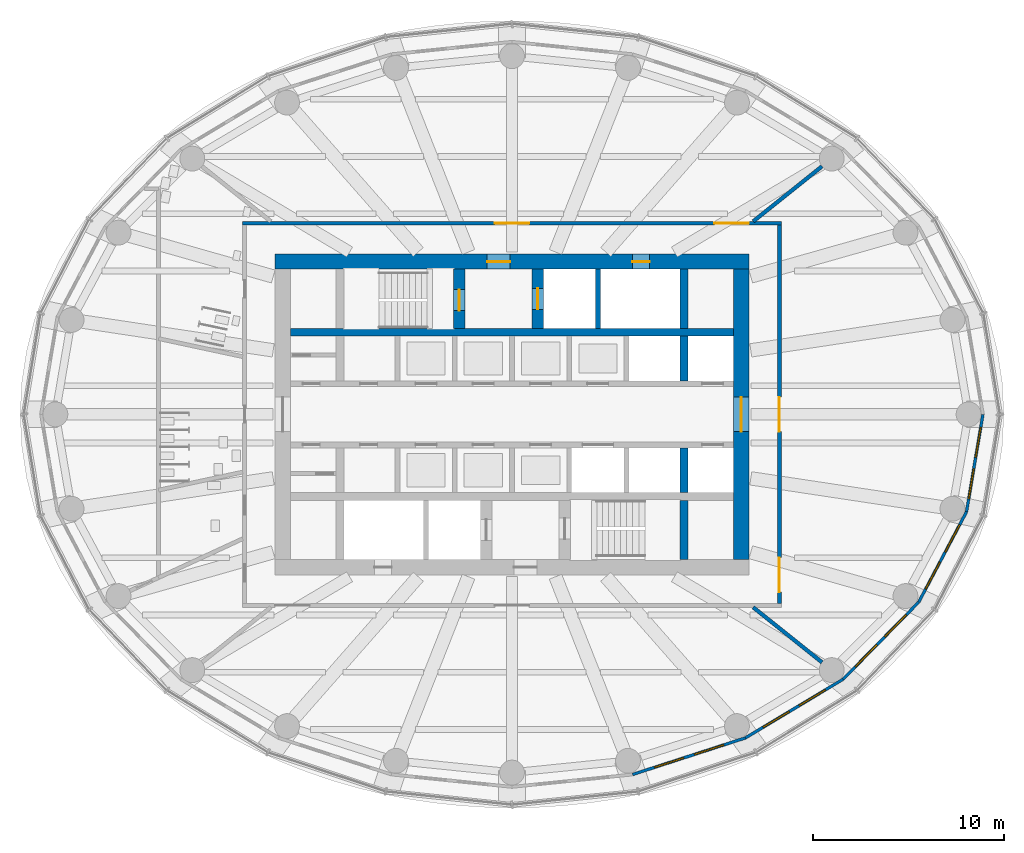
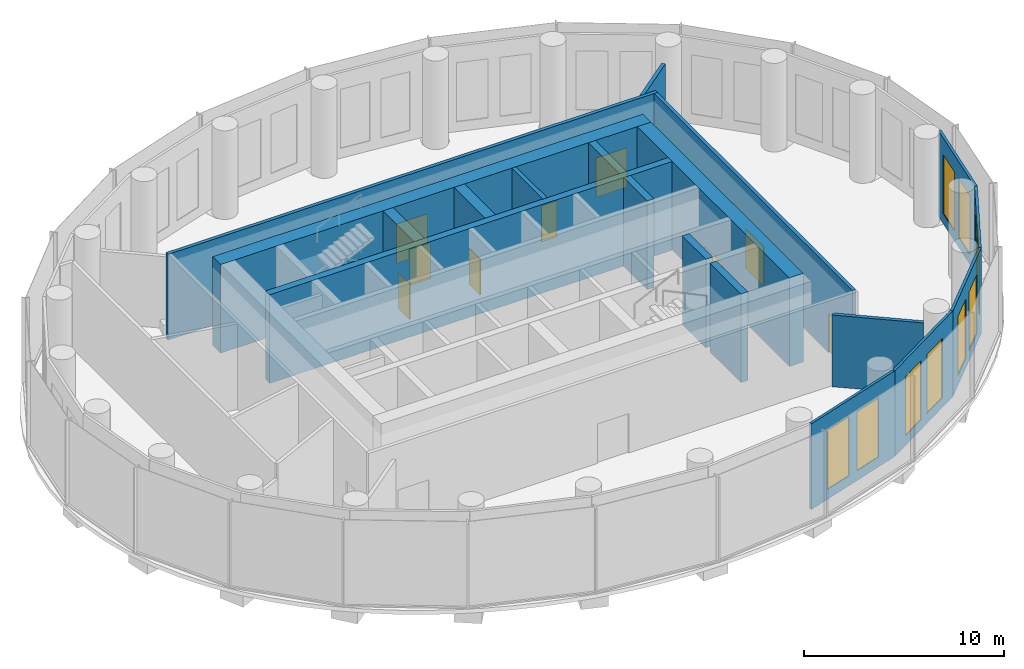
# One storey, part 7 of 13: 19 walls, 10 windows, 9 doors, 19 openings.
"""IFC4 building model written with IfcOpenShell, lengths in metres."""

from ifc_helpers import new_model, si_unit, direction, frame, frame_2d, origin, place, context, subcontext, project, spatial, rectangle, extrude, material, layer, layer_set, type_object, element, fill, save


model = new_model("IFC4")

# Units and contexts
model_context = context("Model", 3, precision=1e-05, world=origin(), true_north=direction((0.0, 1.0)))
body_context = subcontext(model_context, "Body", "Model", "MODEL_VIEW")
ifc_project = project(units=[si_unit("LENGTHUNIT", "METRE"), si_unit("AREAUNIT", "SQUARE_METRE"), si_unit("VOLUMEUNIT", "CUBIC_METRE"), si_unit("PLANEANGLEUNIT", "RADIAN"), si_unit("MASSUNIT", "GRAM", prefix="KILO")], contexts=[model_context])

# Site, building, storey
site_placement = place(None, origin())
site = spatial("IfcSite", under=ifc_project, at=site_placement, CompositionType="ELEMENT")
building_placement = place(site_placement, origin())
building = spatial("IfcBuilding", under=site, at=building_placement, Name="Hankou Lantern Tower", CompositionType="ELEMENT")
storey_placement = place(building_placement, frame((0.0, 0.0, 100.199951171875)))
storey = spatial("IfcBuildingStorey", under=building, at=storey_placement, Name="L25", CompositionType="ELEMENT", Elevation=100.199951171875)

# Wall, openings, doors
ifc_material_1 = material(Name="Concrete C60", Category="concrete")
ifc_layer_1 = layer(ifc_material_1, 0.800048828125)
ifc_layer_set_1 = layer_set([ifc_layer_1], Name="Concrete C60")
wall_type_1 = type_object("IfcWallType", Name="CW2 CORE WALL 800", PredefinedType="SHEAR", material=ifc_layer_set_1)
wall_1_placement = place(storey_placement, frame((-12.39990234375, 8.0, 0.0), z_axis=(0.0, 0.0, 1.0), x_axis=(1.0, 0.0, 0.0)))
wall_1 = element("IfcWall", 1, at=wall_1_placement, inside=storey, type_object=wall_type_1, Name="Core wall north L25", PredefinedType="SHEAR", context=body_context, shape_type="SweptSolid", body=[
    extrude(rectangle(XDim=24.7998046875, YDim=0.800048828125, at=frame_2d((12.39990234375, 0.0))), origin(), (0.0, 0.0, 1.0), 5.400146484375),
])
opening_1_placement = place(wall_1_placement, frame((11.10009765625, 0.0, 0.0)))
opening_1 = element("IfcOpeningElement", 2, at=opening_1_placement, cuts=wall_1, Name="Opening D5", PredefinedType="OPENING", context=body_context, shape_type="SweptSolid", body=[
    extrude(rectangle(XDim=1.199951171875, YDim=2.199951171875, at=frame_2d((0.60009765625, 1.10009765625))), frame((0.0, 0.409912109375, 0.0), z_axis=(0.0, -1.0, 0.0), x_axis=(1.0, 0.0, 0.0)), (0.0, 0.0, 1.0), 0.820068359375),
])
opening_2_placement = place(wall_1_placement, frame((18.699951171875, 0.0, 0.0)))
opening_2 = element("IfcOpeningElement", 3, at=opening_2_placement, cuts=wall_1, Name="Opening D7", PredefinedType="OPENING", context=body_context, shape_type="SweptSolid", body=[
    extrude(rectangle(XDim=0.89990234375, YDim=2.199951171875, at=frame_2d((0.449951171875, 1.10009765625))), frame((0.0, 0.409912109375, 0.0), z_axis=(0.0, -1.0, 0.0), x_axis=(1.0, 0.0, 0.0)), (0.0, 0.0, 1.0), 0.820068359375),
])
ifc_material_2 = material(Name="Steel door leaf", Category="steel")
door_type_1 = type_object("IfcDoorType", Name="D5 STAIR LOBBY DOOR 1200X2200", OperationType="SINGLE_SWING_LEFT", PredefinedType="DOOR", material=ifc_material_2)
door_1_placement = place(opening_1_placement, origin())
door_1 = element("IfcDoor", 4, at=door_1_placement, inside=storey, type_object=door_type_1, Name="Stair A lobby door", OperationType="SINGLE_SWING_LEFT", OverallHeight=2.199951171875, OverallWidth=1.199951171875, PredefinedType="DOOR", context=body_context, shape_type="SweptSolid", body=[
    extrude(rectangle(XDim=1.199951171875, YDim=2.199951171875, at=frame_2d((0.60009765625, 1.10009765625))), frame((0.0, 0.02490234375, 0.0), z_axis=(0.0, -1.0, 0.0), x_axis=(1.0, 0.0, 0.0)), (0.0, 0.0, 1.0), 0.050048828125),
])
fill(opening_1, door_1)
ifc_material_3 = material(Name="Steel door leaf", Category="steel")
door_type_2 = type_object("IfcDoorType", Name="D7 RISER DOOR 900X2200", OperationType="SINGLE_SWING_LEFT", PredefinedType="DOOR", material=ifc_material_3)
door_2_placement = place(opening_2_placement, origin())
door_2 = element("IfcDoor", 5, at=door_2_placement, inside=storey, type_object=door_type_2, Name="Riser N1 door", OperationType="SINGLE_SWING_RIGHT", OverallHeight=2.199951171875, OverallWidth=0.89990234375, PredefinedType="DOOR", context=body_context, shape_type="SweptSolid", body=[
    extrude(rectangle(XDim=0.89990234375, YDim=2.199951171875, at=frame_2d((0.449951171875, 1.10009765625))), frame((0.0, 0.02490234375, 0.0), z_axis=(0.0, -1.0, 0.0), x_axis=(1.0, 0.0, 0.0)), (0.0, 0.0, 1.0), 0.050048828125),
])
fill(opening_2, door_2)

# Wall, opening, door
wall_2_placement = place(storey_placement, frame((12.0, -7.60009765625, 0.0), z_axis=(0.0, 0.0, 1.0), x_axis=(0.0, 1.0, 0.0)))
wall_2 = element("IfcWall", 6, at=wall_2_placement, inside=storey, type_object=wall_type_1, Name="Core wall east L25", PredefinedType="SHEAR", context=body_context, shape_type="SweptSolid", body=[
    extrude(rectangle(XDim=15.2001953125, YDim=0.800048828125, at=frame_2d((7.60009765625, 0.0))), origin(), (0.0, 0.0, 1.0), 5.400146484375),
])
opening_3_placement = place(wall_2_placement, frame((6.699951171875, 0.0, 0.0)))
opening_3 = element("IfcOpeningElement", 7, at=opening_3_placement, cuts=wall_2, Name="Opening D6", PredefinedType="OPENING", context=body_context, shape_type="SweptSolid", body=[
    extrude(rectangle(XDim=1.800048828125, YDim=2.199951171875, at=frame_2d((0.89990234375, 1.10009765625))), frame((0.0, 0.409912109375, 0.0), z_axis=(0.0, -1.0, 0.0), x_axis=(1.0, 0.0, 0.0)), (0.0, 0.0, 1.0), 0.820068359375),
])
ifc_material_4 = material(Name="Steel door leaf", Category="steel")
door_type_3 = type_object("IfcDoorType", Name="D6 LIFT LOBBY DOOR 1800X2200", OperationType="DOUBLE_DOOR_DOUBLE_SWING", PredefinedType="DOOR", material=ifc_material_4)
door_3_placement = place(opening_3_placement, origin())
door_3 = element("IfcDoor", 8, at=door_3_placement, inside=storey, type_object=door_type_3, Name="Lift lobby east door", OperationType="DOUBLE_DOOR_DOUBLE_SWING", OverallHeight=2.199951171875, OverallWidth=1.800048828125, PredefinedType="DOOR", context=body_context, shape_type="SweptSolid", body=[
    extrude(rectangle(XDim=1.800048828125, YDim=2.199951171875, at=frame_2d((0.89990234375, 1.10009765625))), frame((0.0, 0.02490234375, 0.0), z_axis=(0.0, -1.0, 0.0), x_axis=(1.0, 0.0, 0.0)), (0.0, 0.0, 1.0), 0.050048828125),
])
fill(opening_3, door_3)

# Walls
ifc_material_5 = material(Name="Concrete C60", Category="concrete")
ifc_layer_2 = layer(ifc_material_5, 0.39990234375)
ifc_layer_set_2 = layer_set([ifc_layer_2], Name="Concrete C60")
wall_type_2 = type_object("IfcWallType", Name="CW4 CORE CROSS WALL 400", PredefinedType="SHEAR", material=ifc_layer_set_2)
wall_3_placement = place(storey_placement, frame((-11.60009765625, 4.300048828125, 0.0), z_axis=(0.0, 0.0, 1.0), x_axis=(1.0, 0.0, 0.0)))
element("IfcWall", 9, at=wall_3_placement, inside=storey, type_object=wall_type_2, Name="Core band wall north L25", PredefinedType="SHEAR", context=body_context, shape_type="SweptSolid", body=[
    extrude(rectangle(XDim=23.2001953125, YDim=0.39990234375, at=frame_2d((11.60009765625, 0.0))), origin(), (0.0, 0.0, 1.0), 5.400146484375),
])
wall_4_placement = place(storey_placement, frame((9.0, 4.5, 0.0), z_axis=(0.0, 0.0, 1.0), x_axis=(0.0, 1.0, 0.0)))
element("IfcWall", 10, at=wall_4_placement, inside=storey, type_object=wall_type_2, Name="Core strip wall L25", PredefinedType="SHEAR", context=body_context, shape_type="SweptSolid", body=[
    extrude(rectangle(XDim=3.10009765625, YDim=0.39990234375, at=frame_2d((1.550048828125, 0.0))), origin(), (0.0, 0.0, 1.0), 5.400146484375),
])
for number, where, z_axis, x_axis, name in (
    (11, (9.0, 1.75, 0.0), (0.0, 0.0, 1.0), (0.0, 1.0, 0.0), "Core strip wall L25"),
    (12, (9.0, -4.10009765625, 0.0), (0.0, 0.0, 1.0), (0.0, 1.0, 0.0), "Core strip wall L25"),
):
    element("IfcWall", number, at=place(storey_placement, frame(where, z_axis=z_axis, x_axis=x_axis)), inside=storey, type_object=wall_type_2, Name=name, PredefinedType="SHEAR", context=body_context, shape_type="SweptSolid", body=[
        extrude(rectangle(XDim=2.35009765625, YDim=0.39990234375, at=frame_2d((1.175048828125, 0.0))), origin(), (0.0, 0.0, 1.0), 5.400146484375),
    ])
wall_5_placement = place(storey_placement, frame((9.0, -7.60009765625, 0.0), z_axis=(0.0, 0.0, 1.0), x_axis=(0.0, 1.0, 0.0)))
element("IfcWall", 13, at=wall_5_placement, inside=storey, type_object=wall_type_2, Name="Core strip wall L25", PredefinedType="SHEAR", context=body_context, shape_type="SweptSolid", body=[
    extrude(rectangle(XDim=3.10009765625, YDim=0.39990234375, at=frame_2d((1.550048828125, 0.0))), origin(), (0.0, 0.0, 1.0), 5.400146484375),
])

# Wall, opening, door
ifc_material_6 = material(Name="Concrete C60", Category="concrete")
ifc_layer_3 = layer(ifc_material_6, 0.60009765625)
ifc_layer_set_3 = layer_set([ifc_layer_3], Name="Concrete C60")
wall_type_3 = type_object("IfcWallType", Name="CW6 STAIR AND SHAFT WALL 600", PredefinedType="SHEAR", material=ifc_layer_set_3)
wall_6_placement = place(storey_placement, frame((-2.75, 4.5, 0.0), z_axis=(0.0, 0.0, 1.0), x_axis=(0.0, 1.0, 0.0)))
wall_6 = element("IfcWall", 14, at=wall_6_placement, inside=storey, type_object=wall_type_3, Name="Stair wall L25", PredefinedType="SHEAR", context=body_context, shape_type="SweptSolid", body=[
    extrude(rectangle(XDim=3.10009765625, YDim=0.60009765625, at=frame_2d((1.550048828125, 0.0))), origin(), (0.0, 0.0, 1.0), 5.400146484375),
])
opening_4_placement = place(wall_6_placement, frame((0.925048828125, 0.0, 0.0)))
opening_4 = element("IfcOpeningElement", 15, at=opening_4_placement, cuts=wall_6, Name="Opening D4", PredefinedType="OPENING", context=body_context, shape_type="SweptSolid", body=[
    extrude(rectangle(XDim=1.10009765625, YDim=2.199951171875, at=frame_2d((0.550048828125, 1.10009765625))), frame((0.0, 0.31005859375, 0.0), z_axis=(0.0, -1.0, 0.0), x_axis=(1.0, 0.0, 0.0)), (0.0, 0.0, 1.0), 0.6201171875),
])
ifc_material_7 = material(Name="Steel door leaf", Category="steel")
door_type_4 = type_object("IfcDoorType", Name="D4 STAIR DOOR 1100X2200", OperationType="SINGLE_SWING_LEFT", PredefinedType="DOOR", material=ifc_material_7)
door_4_placement = place(opening_4_placement, origin())
door_4 = element("IfcDoor", 16, at=door_4_placement, inside=storey, type_object=door_type_4, Name="Stair A door", OperationType="SINGLE_SWING_LEFT", OverallHeight=2.199951171875, OverallWidth=1.10009765625, PredefinedType="DOOR", context=body_context, shape_type="SweptSolid", body=[
    extrude(rectangle(XDim=1.10009765625, YDim=2.199951171875, at=frame_2d((0.550048828125, 1.10009765625))), frame((0.0, 0.02490234375, 0.0), z_axis=(0.0, -1.0, 0.0), x_axis=(1.0, 0.0, 0.0)), (0.0, 0.0, 1.0), 0.050048828125),
])
fill(opening_4, door_4)

wall_7_placement = place(storey_placement, frame((1.35009765625, 4.5, 0.0), z_axis=(0.0, 0.0, 1.0), x_axis=(0.0, 1.0, 0.0)))
wall_7 = element("IfcWall", 17, at=wall_7_placement, inside=storey, type_object=wall_type_3, Name="Firefighting lift shaft wall L25", PredefinedType="SHEAR", context=body_context, shape_type="SweptSolid", body=[
    extrude(rectangle(XDim=3.10009765625, YDim=0.60009765625, at=frame_2d((1.550048828125, 0.0))), origin(), (0.0, 0.0, 1.0), 5.400146484375),
])
opening_5_placement = place(wall_7_placement, frame((1.0, 0.0, 0.0)))
opening_5 = element("IfcOpeningElement", 18, at=opening_5_placement, cuts=wall_7, Name="Opening LD2", PredefinedType="OPENING", context=body_context, shape_type="SweptSolid", body=[
    extrude(rectangle(XDim=1.10009765625, YDim=2.199951171875, at=frame_2d((0.550048828125, 1.10009765625))), frame((0.0, 0.31005859375, 0.0), z_axis=(0.0, -1.0, 0.0), x_axis=(1.0, 0.0, 0.0)), (0.0, 0.0, 1.0), 0.6201171875),
])
ifc_material_8 = material(Name="Steel door leaf", Category="steel")
door_type_5 = type_object("IfcDoorType", Name="LD2 FIREFIGHTING LIFT LANDING DOOR 1100X2200", OperationType="DOUBLE_DOOR_SLIDING", PredefinedType="DOOR", material=ifc_material_8)
door_5_placement = place(opening_5_placement, origin())
door_5 = element("IfcDoor", 19, at=door_5_placement, inside=storey, type_object=door_type_5, Name="Firefighting lift FL1 landing door", OperationType="DOUBLE_DOOR_SLIDING", OverallHeight=2.199951171875, OverallWidth=1.10009765625, PredefinedType="DOOR", context=body_context, shape_type="SweptSolid", body=[
    extrude(rectangle(XDim=1.10009765625, YDim=2.199951171875, at=frame_2d((0.550048828125, 1.10009765625))), frame((0.0, 0.02490234375, 0.0), z_axis=(0.0, -1.0, 0.0), x_axis=(1.0, 0.0, 0.0)), (0.0, 0.0, 1.0), 0.050048828125),
])
fill(opening_5, door_5)

# Wall, openings, windows
ifc_material_9 = material(Name="Aluminium spandrel panel on steel studs", Category="steel")
ifc_layer_4 = layer(ifc_material_9, 0.14990234375)
ifc_layer_set_4 = layer_set([ifc_layer_4], Name="Aluminium spandrel panel on steel studs")
wall_type_4 = type_object("IfcWallType", Name="EW1 INNER SKIN WALL 150", PredefinedType="ELEMENTEDWALL", material=ifc_layer_set_4)
wall_8_placement = place(storey_placement, frame((6.3134765625, -18.849609375, 0.0), z_axis=(0.0, 0.0, 1.0), x_axis=(0.951272691506, 0.308350881944, 0.0)))
wall_8 = element("IfcWall", 20, at=wall_8_placement, inside=storey, type_object=wall_type_4, Name="Inner skin R20-R21 L25", PredefinedType="ELEMENTEDWALL", context=body_context, shape_type="SweptSolid", body=[
    extrude(rectangle(XDim=6.210693359375, YDim=0.14990234375, at=frame_2d((3.10546875, 0.0))), origin(), (0.0, 0.0, 1.0), 5.219970703125),
])
opening_6_placement = place(wall_8_placement, frame((1.205322265625, 0.0, 0.60009765625)))
opening_6 = element("IfcOpeningElement", 21, at=opening_6_placement, cuts=wall_8, Name="Opening W6", PredefinedType="OPENING", context=body_context, shape_type="SweptSolid", body=[
    extrude(rectangle(XDim=1.60009765625, YDim=3.60009765625, at=frame_2d((0.800048828125, 1.800048828125))), frame((0.0, 0.0849609375, 0.0), z_axis=(0.0, -1.0, 0.0), x_axis=(1.0, 0.0, 0.0)), (0.0, 0.0, 1.0), 0.169921875),
])
opening_7_placement = place(wall_8_placement, frame((3.4052734375, 0.0, 0.60009765625)))
opening_7 = element("IfcOpeningElement", 22, at=opening_7_placement, cuts=wall_8, Name="Opening W6", PredefinedType="OPENING", context=body_context, shape_type="SweptSolid", body=[
    extrude(rectangle(XDim=1.60009765625, YDim=3.60009765625, at=frame_2d((0.800048828125, 1.800048828125))), frame((0.0, 0.0849609375, 0.0), z_axis=(0.0, -1.0, 0.0), x_axis=(1.0, 0.0, 0.0)), (0.0, 0.0, 1.0), 0.169921875),
])
ifc_material_10 = material(Name="Aluminium framed double glazed window", Category="aluminium")
window_type = type_object("IfcWindowType", Name="W6 SKY LOBBY WINDOW 1600X3600", PartitioningType="DOUBLE_PANEL_VERTICAL", PredefinedType="WINDOW", material=ifc_material_10)
window_1_placement = place(opening_6_placement, origin())
window_1 = element("IfcWindow", 23, at=window_1_placement, inside=storey, type_object=window_type, Name="Window R20.1 L25", OverallHeight=3.60009765625, OverallWidth=1.60009765625, PartitioningType="SINGLE_PANEL", PredefinedType="WINDOW", context=body_context, shape_type="SweptSolid", body=[
    extrude(rectangle(XDim=1.60009765625, YDim=3.60009765625, at=frame_2d((0.800048828125, 1.800048828125))), frame((0.0, 0.030029296875, 0.0), z_axis=(0.0, -1.0, 0.0), x_axis=(1.0, 0.0, 0.0)), (0.0, 0.0, 1.0), 0.06005859375),
])
fill(opening_6, window_1)
window_2_placement = place(opening_7_placement, origin())
window_2 = element("IfcWindow", 24, at=window_2_placement, inside=storey, type_object=window_type, Name="Window R20.2 L25", OverallHeight=3.60009765625, OverallWidth=1.60009765625, PartitioningType="SINGLE_PANEL", PredefinedType="WINDOW", context=body_context, shape_type="SweptSolid", body=[
    extrude(rectangle(XDim=1.60009765625, YDim=3.60009765625, at=frame_2d((0.800048828125, 1.800048828125))), frame((0.0, 0.030029296875, 0.0), z_axis=(0.0, -1.0, 0.0), x_axis=(1.0, 0.0, 0.0)), (0.0, 0.0, 1.0), 0.06005859375),
])
fill(opening_7, window_2)

wall_9_placement = place(storey_placement, frame((12.221435546875, -16.9345703125, 0.0), z_axis=(0.0, 0.0, 1.0), x_axis=(0.857308573723, 0.514802884044, 0.0)))
wall_9 = element("IfcWall", 25, at=wall_9_placement, inside=storey, type_object=wall_type_4, Name="Inner skin R21-R22 L25", PredefinedType="ELEMENTEDWALL", context=body_context, shape_type="SweptSolid", body=[
    extrude(rectangle(XDim=5.961181640625, YDim=0.14990234375, at=frame_2d((2.98046875, 0.0))), origin(), (0.0, 0.0, 1.0), 5.219970703125),
])
opening_8_placement = place(wall_9_placement, frame((1.08056640625, 0.0, 0.60009765625)))
opening_8 = element("IfcOpeningElement", 26, at=opening_8_placement, cuts=wall_9, Name="Opening W6", PredefinedType="OPENING", context=body_context, shape_type="SweptSolid", body=[
    extrude(rectangle(XDim=1.60009765625, YDim=3.60009765625, at=frame_2d((0.800048828125, 1.800048828125))), frame((0.0, 0.0849609375, 0.0), z_axis=(0.0, -1.0, 0.0), x_axis=(1.0, 0.0, 0.0)), (0.0, 0.0, 1.0), 0.169921875),
])
opening_9_placement = place(wall_9_placement, frame((3.280517578125, 0.0, 0.60009765625)))
opening_9 = element("IfcOpeningElement", 27, at=opening_9_placement, cuts=wall_9, Name="Opening W6", PredefinedType="OPENING", context=body_context, shape_type="SweptSolid", body=[
    extrude(rectangle(XDim=1.60009765625, YDim=3.60009765625, at=frame_2d((0.800048828125, 1.800048828125))), frame((0.0, 0.0849609375, 0.0), z_axis=(0.0, -1.0, 0.0), x_axis=(1.0, 0.0, 0.0)), (0.0, 0.0, 1.0), 0.169921875),
])
window_3_placement = place(opening_8_placement, origin())
window_3 = element("IfcWindow", 28, at=window_3_placement, inside=storey, type_object=window_type, Name="Window R21.1 L25", OverallHeight=3.60009765625, OverallWidth=1.60009765625, PartitioningType="SINGLE_PANEL", PredefinedType="WINDOW", context=body_context, shape_type="SweptSolid", body=[
    extrude(rectangle(XDim=1.60009765625, YDim=3.60009765625, at=frame_2d((0.800048828125, 1.800048828125))), frame((0.0, 0.030029296875, 0.0), z_axis=(0.0, -1.0, 0.0), x_axis=(1.0, 0.0, 0.0)), (0.0, 0.0, 1.0), 0.06005859375),
])
fill(opening_8, window_3)
window_4_placement = place(opening_9_placement, origin())
window_4 = element("IfcWindow", 29, at=window_4_placement, inside=storey, type_object=window_type, Name="Window R21.2 L25", OverallHeight=3.60009765625, OverallWidth=1.60009765625, PartitioningType="SINGLE_PANEL", PredefinedType="WINDOW", context=body_context, shape_type="SweptSolid", body=[
    extrude(rectangle(XDim=1.60009765625, YDim=3.60009765625, at=frame_2d((0.800048828125, 1.800048828125))), frame((0.0, 0.030029296875, 0.0), z_axis=(0.0, -1.0, 0.0), x_axis=(1.0, 0.0, 0.0)), (0.0, 0.0, 1.0), 0.06005859375),
])
fill(opening_9, window_4)

wall_10_placement = place(storey_placement, frame((17.33203125, -13.86572265625, 0.0), z_axis=(0.0, 0.0, 1.0), x_axis=(0.700136650834, 0.714008872605, 0.0)))
wall_10 = element("IfcWall", 30, at=wall_10_placement, inside=storey, type_object=wall_type_4, Name="Inner skin R22-R23 L25", PredefinedType="ELEMENTEDWALL", context=body_context, shape_type="SweptSolid", body=[
    extrude(rectangle(XDim=5.6494140625, YDim=0.14990234375, at=frame_2d((2.82470703125, 0.0))), origin(), (0.0, 0.0, 1.0), 5.219970703125),
])
opening_10_placement = place(wall_10_placement, frame((0.924560546875, 0.0, 0.60009765625)))
opening_10 = element("IfcOpeningElement", 31, at=opening_10_placement, cuts=wall_10, Name="Opening W6", PredefinedType="OPENING", context=body_context, shape_type="SweptSolid", body=[
    extrude(rectangle(XDim=1.60009765625, YDim=3.60009765625, at=frame_2d((0.800048828125, 1.800048828125))), frame((0.0, 0.0849609375, 0.0), z_axis=(0.0, -1.0, 0.0), x_axis=(1.0, 0.0, 0.0)), (0.0, 0.0, 1.0), 0.169921875),
])
opening_11_placement = place(wall_10_placement, frame((3.12451171875, 0.0, 0.60009765625)))
opening_11 = element("IfcOpeningElement", 32, at=opening_11_placement, cuts=wall_10, Name="Opening W6", PredefinedType="OPENING", context=body_context, shape_type="SweptSolid", body=[
    extrude(rectangle(XDim=1.60009765625, YDim=3.60009765625, at=frame_2d((0.800048828125, 1.800048828125))), frame((0.0, 0.0849609375, 0.0), z_axis=(0.0, -1.0, 0.0), x_axis=(1.0, 0.0, 0.0)), (0.0, 0.0, 1.0), 0.169921875),
])
window_5_placement = place(opening_10_placement, origin())
window_5 = element("IfcWindow", 33, at=window_5_placement, inside=storey, type_object=window_type, Name="Window R22.1 L25", OverallHeight=3.60009765625, OverallWidth=1.60009765625, PartitioningType="SINGLE_PANEL", PredefinedType="WINDOW", context=body_context, shape_type="SweptSolid", body=[
    extrude(rectangle(XDim=1.60009765625, YDim=3.60009765625, at=frame_2d((0.800048828125, 1.800048828125))), frame((0.0, 0.030029296875, 0.0), z_axis=(0.0, -1.0, 0.0), x_axis=(1.0, 0.0, 0.0)), (0.0, 0.0, 1.0), 0.06005859375),
])
fill(opening_10, window_5)
window_6_placement = place(opening_11_placement, origin())
window_6 = element("IfcWindow", 34, at=window_6_placement, inside=storey, type_object=window_type, Name="Window R22.2 L25", OverallHeight=3.60009765625, OverallWidth=1.60009765625, PartitioningType="SINGLE_PANEL", PredefinedType="WINDOW", context=body_context, shape_type="SweptSolid", body=[
    extrude(rectangle(XDim=1.60009765625, YDim=3.60009765625, at=frame_2d((0.800048828125, 1.800048828125))), frame((0.0, 0.030029296875, 0.0), z_axis=(0.0, -1.0, 0.0), x_axis=(1.0, 0.0, 0.0)), (0.0, 0.0, 1.0), 0.06005859375),
])
fill(opening_11, window_6)

wall_11_placement = place(storey_placement, frame((21.287353515625, -9.83203125, 0.0), z_axis=(0.0, 0.0, 1.0), x_axis=(0.467814388454, 0.883826735257, 0.0)))
wall_11 = element("IfcWall", 35, at=wall_11_placement, inside=storey, type_object=wall_type_4, Name="Inner skin R23-R24 L25", PredefinedType="ELEMENTEDWALL", context=body_context, shape_type="SweptSolid", body=[
    extrude(rectangle(XDim=5.35400390625, YDim=0.14990234375, at=frame_2d((2.677001953125, 0.0))), origin(), (0.0, 0.0, 1.0), 5.219970703125),
])
opening_12_placement = place(wall_11_placement, frame((0.777099609375, 0.0, 0.60009765625)))
opening_12 = element("IfcOpeningElement", 36, at=opening_12_placement, cuts=wall_11, Name="Opening W6", PredefinedType="OPENING", context=body_context, shape_type="SweptSolid", body=[
    extrude(rectangle(XDim=1.60009765625, YDim=3.60009765625, at=frame_2d((0.800048828125, 1.800048828125))), frame((0.0, 0.0849609375, 0.0), z_axis=(0.0, -1.0, 0.0), x_axis=(1.0, 0.0, 0.0)), (0.0, 0.0, 1.0), 0.169921875),
])
opening_13_placement = place(wall_11_placement, frame((2.97705078125, 0.0, 0.60009765625)))
opening_13 = element("IfcOpeningElement", 37, at=opening_13_placement, cuts=wall_11, Name="Opening W6", PredefinedType="OPENING", context=body_context, shape_type="SweptSolid", body=[
    extrude(rectangle(XDim=1.60009765625, YDim=3.60009765625, at=frame_2d((0.800048828125, 1.800048828125))), frame((0.0, 0.0849609375, 0.0), z_axis=(0.0, -1.0, 0.0), x_axis=(1.0, 0.0, 0.0)), (0.0, 0.0, 1.0), 0.169921875),
])
window_7_placement = place(opening_12_placement, origin())
window_7 = element("IfcWindow", 38, at=window_7_placement, inside=storey, type_object=window_type, Name="Window R23.1 L25", OverallHeight=3.60009765625, OverallWidth=1.60009765625, PartitioningType="SINGLE_PANEL", PredefinedType="WINDOW", context=body_context, shape_type="SweptSolid", body=[
    extrude(rectangle(XDim=1.60009765625, YDim=3.60009765625, at=frame_2d((0.800048828125, 1.800048828125))), frame((0.0, 0.030029296875, 0.0), z_axis=(0.0, -1.0, 0.0), x_axis=(1.0, 0.0, 0.0)), (0.0, 0.0, 1.0), 0.06005859375),
])
fill(opening_12, window_7)
window_8_placement = place(opening_13_placement, origin())
window_8 = element("IfcWindow", 39, at=window_8_placement, inside=storey, type_object=window_type, Name="Window R23.2 L25", OverallHeight=3.60009765625, OverallWidth=1.60009765625, PartitioningType="SINGLE_PANEL", PredefinedType="WINDOW", context=body_context, shape_type="SweptSolid", body=[
    extrude(rectangle(XDim=1.60009765625, YDim=3.60009765625, at=frame_2d((0.800048828125, 1.800048828125))), frame((0.0, 0.030029296875, 0.0), z_axis=(0.0, -1.0, 0.0), x_axis=(1.0, 0.0, 0.0)), (0.0, 0.0, 1.0), 0.06005859375),
])
fill(opening_13, window_8)

wall_12_placement = place(storey_placement, frame((23.7919921875, -5.10009765625, 0.0), z_axis=(0.0, 0.0, 1.0), x_axis=(0.165883894218, 0.986145290329, 0.0)))
wall_12 = element("IfcWall", 40, at=wall_12_placement, inside=storey, type_object=wall_type_4, Name="Inner skin R24-R01 L25", PredefinedType="ELEMENTEDWALL", context=body_context, shape_type="SweptSolid", body=[
    extrude(rectangle(XDim=5.171630859375, YDim=0.14990234375, at=frame_2d((2.5859375, 0.0))), origin(), (0.0, 0.0, 1.0), 5.219970703125),
])
opening_14_placement = place(wall_12_placement, frame((0.685791015625, 0.0, 0.60009765625)))
opening_14 = element("IfcOpeningElement", 41, at=opening_14_placement, cuts=wall_12, Name="Opening W6", PredefinedType="OPENING", context=body_context, shape_type="SweptSolid", body=[
    extrude(rectangle(XDim=1.60009765625, YDim=3.60009765625, at=frame_2d((0.800048828125, 1.800048828125))), frame((0.0, 0.0849609375, 0.0), z_axis=(0.0, -1.0, 0.0), x_axis=(1.0, 0.0, 0.0)), (0.0, 0.0, 1.0), 0.169921875),
])
opening_15_placement = place(wall_12_placement, frame((2.8857421875, 0.0, 0.60009765625)))
opening_15 = element("IfcOpeningElement", 42, at=opening_15_placement, cuts=wall_12, Name="Opening W6", PredefinedType="OPENING", context=body_context, shape_type="SweptSolid", body=[
    extrude(rectangle(XDim=1.60009765625, YDim=3.60009765625, at=frame_2d((0.800048828125, 1.800048828125))), frame((0.0, 0.0849609375, 0.0), z_axis=(0.0, -1.0, 0.0), x_axis=(1.0, 0.0, 0.0)), (0.0, 0.0, 1.0), 0.169921875),
])
window_9_placement = place(opening_14_placement, origin())
window_9 = element("IfcWindow", 43, at=window_9_placement, inside=storey, type_object=window_type, Name="Window R24.1 L25", OverallHeight=3.60009765625, OverallWidth=1.60009765625, PartitioningType="SINGLE_PANEL", PredefinedType="WINDOW", context=body_context, shape_type="SweptSolid", body=[
    extrude(rectangle(XDim=1.60009765625, YDim=3.60009765625, at=frame_2d((0.800048828125, 1.800048828125))), frame((0.0, 0.030029296875, 0.0), z_axis=(0.0, -1.0, 0.0), x_axis=(1.0, 0.0, 0.0)), (0.0, 0.0, 1.0), 0.06005859375),
])
fill(opening_14, window_9)
window_10_placement = place(opening_15_placement, origin())
window_10 = element("IfcWindow", 44, at=window_10_placement, inside=storey, type_object=window_type, Name="Window R24.2 L25", OverallHeight=3.60009765625, OverallWidth=1.60009765625, PartitioningType="SINGLE_PANEL", PredefinedType="WINDOW", context=body_context, shape_type="SweptSolid", body=[
    extrude(rectangle(XDim=1.60009765625, YDim=3.60009765625, at=frame_2d((0.800048828125, 1.800048828125))), frame((0.0, 0.030029296875, 0.0), z_axis=(0.0, -1.0, 0.0), x_axis=(1.0, 0.0, 0.0)), (0.0, 0.0, 1.0), 0.06005859375),
])
fill(opening_15, window_10)

# Wall, openings, doors
ifc_material_11 = material(Name="Masonry lightweight concrete block", Category="masonry")
ifc_layer_5 = layer(ifc_material_11, 0.199951171875)
ifc_layer_set_5 = layer_set([ifc_layer_5], Name="Masonry lightweight concrete block")
wall_type_5 = type_object("IfcWallType", Name="IW2 CORRIDOR WALL 200", PredefinedType="PARTITIONING", material=ifc_layer_set_5)
wall_13_placement = place(storey_placement, frame((-14.10009765625, 10.0, 0.0), z_axis=(0.0, 0.0, 1.0), x_axis=(1.0, 0.0, 0.0)))
wall_13 = element("IfcWall", 45, at=wall_13_placement, inside=storey, type_object=wall_type_5, Name="Corridor wall north", PredefinedType="PARTITIONING", context=body_context, shape_type="SweptSolid", body=[
    extrude(rectangle(XDim=28.2001953125, YDim=0.199951171875, at=frame_2d((14.10009765625, 0.0))), origin(), (0.0, 0.0, 1.0), 5.219970703125),
])
opening_16_placement = place(wall_13_placement, frame((13.199951171875, 0.0, 0.0)))
opening_16 = element("IfcOpeningElement", 46, at=opening_16_placement, cuts=wall_13, Name="Opening D8", PredefinedType="OPENING", context=body_context, shape_type="SweptSolid", body=[
    extrude(rectangle(XDim=1.800048828125, YDim=2.39990234375, at=frame_2d((0.89990234375, 1.199951171875))), frame((0.0, 0.10986328125, 0.0), z_axis=(0.0, -1.0, 0.0), x_axis=(1.0, 0.0, 0.0)), (0.0, 0.0, 1.0), 0.219970703125),
])
opening_17_placement = place(wall_13_placement, frame((24.699951171875, 0.0, 0.0)))
opening_17 = element("IfcOpeningElement", 47, at=opening_17_placement, cuts=wall_13, Name="Opening D8", PredefinedType="OPENING", context=body_context, shape_type="SweptSolid", body=[
    extrude(rectangle(XDim=1.800048828125, YDim=2.39990234375, at=frame_2d((0.89990234375, 1.199951171875))), frame((0.0, 0.10986328125, 0.0), z_axis=(0.0, -1.0, 0.0), x_axis=(1.0, 0.0, 0.0)), (0.0, 0.0, 1.0), 0.219970703125),
])
ifc_material_12 = material(Name="Steel door leaf", Category="steel")
door_type_6 = type_object("IfcDoorType", Name="D8 DOUBLE DOOR 1800X2400", OperationType="DOUBLE_DOOR_DOUBLE_SWING", PredefinedType="DOOR", material=ifc_material_12)
door_6_placement = place(opening_16_placement, origin())
door_6 = element("IfcDoor", 48, at=door_6_placement, inside=storey, type_object=door_type_6, Name="Sky lobby lounge and bar door", OperationType="DOUBLE_DOOR_DOUBLE_SWING", OverallHeight=2.39990234375, OverallWidth=1.800048828125, PredefinedType="DOOR", context=body_context, shape_type="SweptSolid", body=[
    extrude(rectangle(XDim=1.800048828125, YDim=2.39990234375, at=frame_2d((0.89990234375, 1.199951171875))), frame((0.0, 0.02490234375, 0.0), z_axis=(0.0, -1.0, 0.0), x_axis=(1.0, 0.0, 0.0)), (0.0, 0.0, 1.0), 0.050048828125),
])
fill(opening_16, door_6)
door_7_placement = place(opening_17_placement, origin())
door_7 = element("IfcDoor", 49, at=door_7_placement, inside=storey, type_object=door_type_6, Name="Sky lobby lounge and bar second door", OperationType="DOUBLE_DOOR_DOUBLE_SWING", OverallHeight=2.39990234375, OverallWidth=1.800048828125, PredefinedType="DOOR", context=body_context, shape_type="SweptSolid", body=[
    extrude(rectangle(XDim=1.800048828125, YDim=2.39990234375, at=frame_2d((0.89990234375, 1.199951171875))), frame((0.0, 0.02490234375, 0.0), z_axis=(0.0, -1.0, 0.0), x_axis=(1.0, 0.0, 0.0)), (0.0, 0.0, 1.0), 0.050048828125),
])
fill(opening_17, door_7)

wall_14_placement = place(storey_placement, frame((14.0, -9.89990234375, 0.0), z_axis=(0.0, 0.0, 1.0), x_axis=(0.0, 1.0, 0.0)))
wall_14 = element("IfcWall", 50, at=wall_14_placement, inside=storey, type_object=wall_type_5, Name="Corridor wall east", PredefinedType="PARTITIONING", context=body_context, shape_type="SweptSolid", body=[
    extrude(rectangle(XDim=19.7998046875, YDim=0.199951171875, at=frame_2d((9.89990234375, 0.0))), origin(), (0.0, 0.0, 1.0), 5.219970703125),
])
opening_18_placement = place(wall_14_placement, frame((9.0, 0.0, 0.0)))
opening_18 = element("IfcOpeningElement", 51, at=opening_18_placement, cuts=wall_14, Name="Opening D8", PredefinedType="OPENING", context=body_context, shape_type="SweptSolid", body=[
    extrude(rectangle(XDim=1.800048828125, YDim=2.39990234375, at=frame_2d((0.89990234375, 1.199951171875))), frame((0.0, 0.10986328125, 0.0), z_axis=(0.0, -1.0, 0.0), x_axis=(1.0, 0.0, 0.0)), (0.0, 0.0, 1.0), 0.219970703125),
])
opening_19_placement = place(wall_14_placement, frame((0.60009765625, 0.0, 0.0)))
opening_19 = element("IfcOpeningElement", 52, at=opening_19_placement, cuts=wall_14, Name="Opening D8", PredefinedType="OPENING", context=body_context, shape_type="SweptSolid", body=[
    extrude(rectangle(XDim=1.800048828125, YDim=2.39990234375, at=frame_2d((0.89990234375, 1.199951171875))), frame((0.0, 0.10986328125, 0.0), z_axis=(0.0, -1.0, 0.0), x_axis=(1.0, 0.0, 0.0)), (0.0, 0.0, 1.0), 0.219970703125),
])
door_8_placement = place(opening_18_placement, origin())
door_8 = element("IfcDoor", 53, at=door_8_placement, inside=storey, type_object=door_type_6, Name="Guest services office door", OperationType="DOUBLE_DOOR_DOUBLE_SWING", OverallHeight=2.39990234375, OverallWidth=1.800048828125, PredefinedType="DOOR", context=body_context, shape_type="SweptSolid", body=[
    extrude(rectangle(XDim=1.800048828125, YDim=2.39990234375, at=frame_2d((0.89990234375, 1.199951171875))), frame((0.0, 0.02490234375, 0.0), z_axis=(0.0, -1.0, 0.0), x_axis=(1.0, 0.0, 0.0)), (0.0, 0.0, 1.0), 0.050048828125),
])
fill(opening_18, door_8)
door_9_placement = place(opening_19_placement, origin())
door_9 = element("IfcDoor", 54, at=door_9_placement, inside=storey, type_object=door_type_6, Name="Guest services office second door", OperationType="DOUBLE_DOOR_DOUBLE_SWING", OverallHeight=2.39990234375, OverallWidth=1.800048828125, PredefinedType="DOOR", context=body_context, shape_type="SweptSolid", body=[
    extrude(rectangle(XDim=1.800048828125, YDim=2.39990234375, at=frame_2d((0.89990234375, 1.199951171875))), frame((0.0, 0.02490234375, 0.0), z_axis=(0.0, -1.0, 0.0), x_axis=(1.0, 0.0, 0.0)), (0.0, 0.0, 1.0), 0.050048828125),
])
fill(opening_19, door_9)

# Walls
ifc_material_13 = material(Name="Masonry lightweight concrete block", Category="masonry")
ifc_layer_6 = layer(ifc_material_13, 0.199951171875)
ifc_layer_set_6 = layer_set([ifc_layer_6], Name="Masonry lightweight concrete block")
wall_type_6 = type_object("IfcWallType", Name="IW8 PARTITION 200", PredefinedType="PARTITIONING", material=ifc_layer_set_6)
for number, where, z_axis, x_axis, name in (
    (55, (12.625, 10.10009765625, 0.0), (0.0, 0.0, 1.0), (0.780863644897, 0.624701503182, 0.0), "Partition R04"),
    (56, (12.625, -10.10009765625, 0.0), (0.0, 0.0, 1.0), (0.780863644897, -0.624701503182, 0.0), "Partition R22"),
):
    element("IfcWall", number, at=place(storey_placement, frame(where, z_axis=z_axis, x_axis=x_axis)), inside=storey, type_object=wall_type_6, Name=name, PredefinedType="PARTITIONING", context=body_context, shape_type="SweptSolid", body=[
        extrude(rectangle(XDim=4.612060546875, YDim=0.199951171875, at=frame_2d((2.30615234375, 0.0))), origin(), (0.0, 0.0, 1.0), 4.3701171875),
    ])
ifc_material_14 = material(Name="Masonry autoclaved aerated concrete block", Category="masonry")
ifc_layer_7 = layer(ifc_material_14, 0.25)
ifc_layer_set_7 = layer_set([ifc_layer_7], Name="Masonry autoclaved aerated concrete block")
wall_type_7 = type_object("IfcWallType", Name="SW1 SHAFT BLOCK WALL 250", PredefinedType="PARTITIONING", material=ifc_layer_set_7)
wall_15_placement = place(storey_placement, frame((4.5, 4.5, 0.0), z_axis=(0.0, 0.0, 1.0), x_axis=(0.0, 1.0, 0.0)))
element("IfcWall", 57, at=wall_15_placement, inside=storey, type_object=wall_type_7, Name="Riser wall L25", PredefinedType="PARTITIONING", context=body_context, shape_type="SweptSolid", body=[
    extrude(rectangle(XDim=3.10009765625, YDim=0.25, at=frame_2d((1.550048828125, 0.0))), origin(), (0.0, 0.0, 1.0), 5.400146484375),
])

save(model, "model.ifc")
